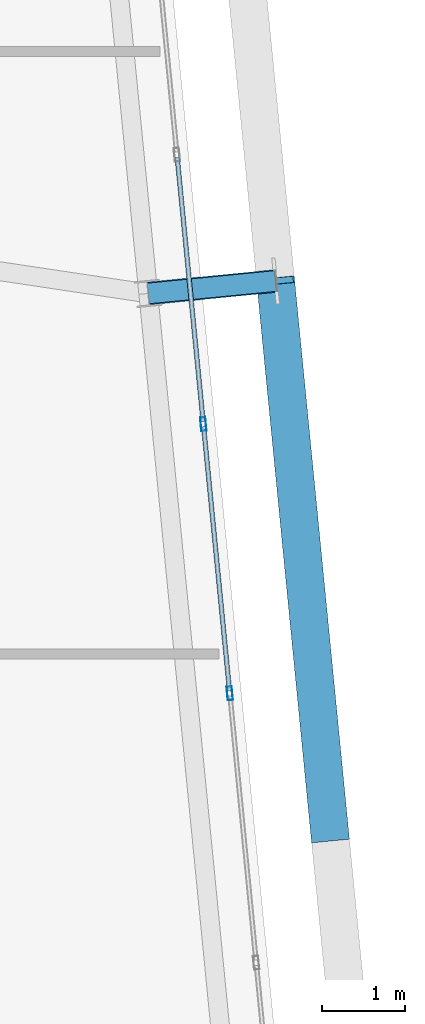
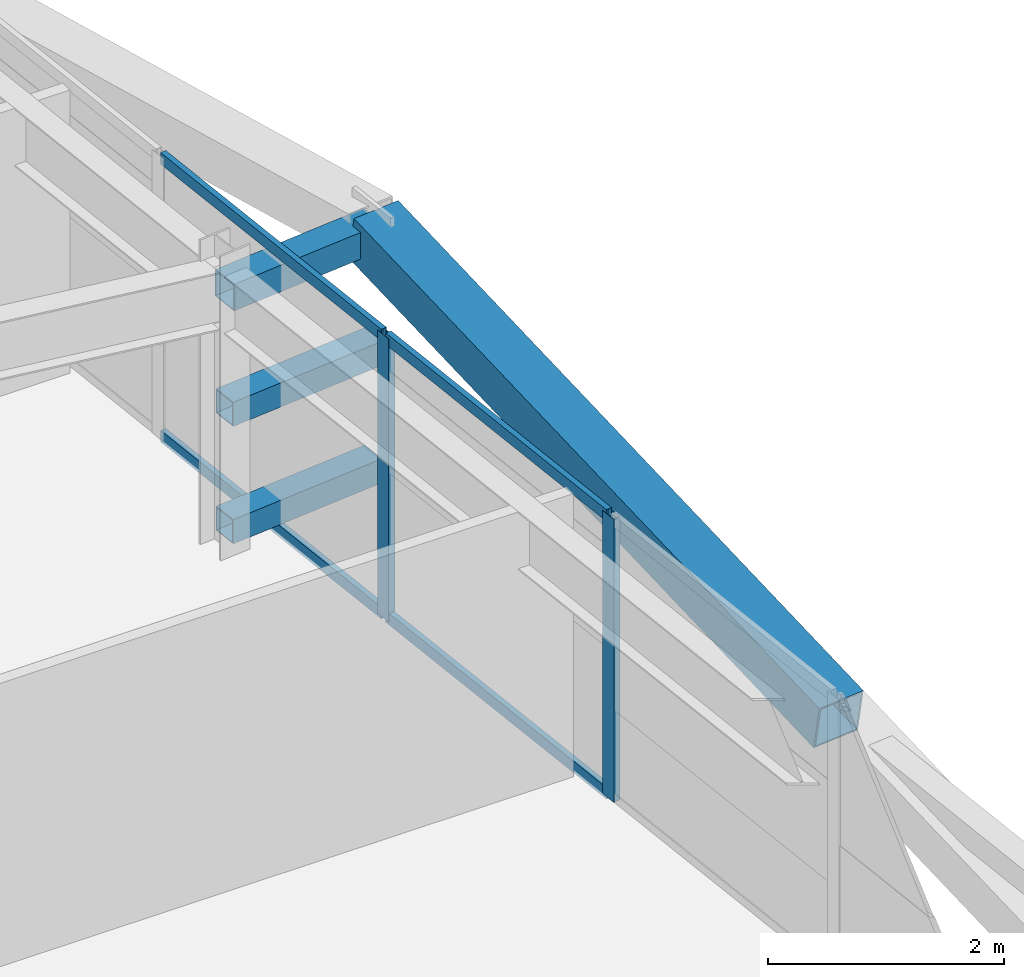
# One storey, part 24 of 52: 10 members, 1 element without a shape of its own.
"""IFC4 building model written with IfcOpenShell, lengths in metres."""

from ifc_helpers import new_model, si_unit, direction, frame, origin, origin_2d, place, context, subcontext, project, spatial, hollow_rectangle, extrude, source, transform, mapped, material, layer, layer_set, material_profile, profile_set, type_object, element, aggregate, save


model = new_model("IFC4")

# Units and contexts
model_context = context("Model", 3, precision=1e-05, world=origin(), true_north=direction((0.0, 1.0)))
body_context = subcontext(model_context, "Body", "Model", "MODEL_VIEW")
ifc_project = project(units=[si_unit("LENGTHUNIT", "METRE"), si_unit("AREAUNIT", "SQUARE_METRE"), si_unit("VOLUMEUNIT", "CUBIC_METRE"), si_unit("PLANEANGLEUNIT", "RADIAN"), si_unit("MASSUNIT", "GRAM", prefix="KILO")], contexts=[model_context])

# Site, building, storey
site_placement = place(None, origin())
site = spatial("IfcSite", under=ifc_project, at=site_placement, CompositionType="ELEMENT")
building_placement = place(site_placement, origin())
building = spatial("IfcBuilding", under=site, at=building_placement, Name="Taldren Reach Tower", CompositionType="ELEMENT")
storey_placement = place(building_placement, frame((0.0, 0.0, 93.449951171875)))
storey = spatial("IfcBuildingStorey", under=building, at=storey_placement, Name="L28", CompositionType="ELEMENT", Elevation=93.449951171875)

# Members
ifc_material_1 = material(Name="Steel Gr 450 (C450L0)", Category="steel")
ifc_material_profile_1 = material_profile(ifc_material_1, hollow_rectangle(XDim=0.27490234375, YDim=0.27490234375, WallThickness=0.00927734375, at=origin_2d()), Name="275x275x9.3SHS")
ifc_profile_set_1 = profile_set([ifc_material_profile_1], Name="Steel Gr 450 (C450L0)")
member_type_1 = type_object("IfcMemberType", Name="MB-TIE273", PredefinedType="STRUT", material=ifc_profile_set_1)
shared_shape_1 = source(origin(), body_context, "Body", "SweptSolid", [
    extrude(hollow_rectangle(XDim=0.27490234375, YDim=0.27490234375, WallThickness=0.00927734375, at=origin_2d()), origin(), (0.0, 0.0, 1.0), 1.5498046875),
])
member_1_placement = place(storey_placement, frame((64.569580078125, 21.968994140625, 2.650146484375), z_axis=(0.995234821595, 0.097507178627, 0.0), x_axis=(-0.097507178627, 0.995234821595, 0.0)))
element("IfcMember", 1, at=member_1_placement, inside=storey, type_object=member_type_1, Name="Exoskeleton diaphragm tie strut B2-E2 L28", PredefinedType="STRUT", context=body_context, shape_type="MappedRepresentation", body=[
    mapped(shared_shape_1, transform((0.0, 0.0, 0.0), scale=1.0)),
])
ifc_material_2 = material(Name="Steel Gr 350 (C350L0)", Category="steel")
ifc_material_profile_2 = material_profile(ifc_material_2, hollow_rectangle(XDim=0.25, YDim=0.25, WallThickness=0.010009765625, at=origin_2d()), Name="250x250x10.0SHS")
ifc_profile_set_2 = profile_set([ifc_material_profile_2], Name="Steel Gr 350 (C350L0)")
member_type_2 = type_object("IfcMemberType", Name="MB-POST250", PredefinedType="POST", material=ifc_profile_set_2)
shared_shape_2 = source(origin(), body_context, "Body", "SweptSolid", [
    extrude(hollow_rectangle(XDim=0.25, YDim=0.25, WallThickness=0.010009765625, at=origin_2d()), origin(), (0.0, 0.0, 1.0), 1.5498046875),
])
for number, where, z_axis, x_axis, name in (
    (2, (64.569580078125, 21.968994140625, 0.219970703125), (0.995234821595, 0.097507178627, 0.0), (-0.097507178627, 0.995234821595, 0.0), "Exoskeleton base diaphragm tie strut B2-E2 L28"),
    (3, (64.569580078125, 21.968994140625, 1.43505859375), (0.995234821595, 0.097507178627, 0.0), (-0.097507178627, 0.995234821595, 0.0), "Exoskeleton mid-tier diaphragm tie B2-E2 L28"),
):
    element("IfcMember", number, at=place(storey_placement, frame(where, z_axis=z_axis, x_axis=x_axis)), inside=storey, type_object=member_type_2, Name=name, PredefinedType="POST", context=body_context, shape_type="MappedRepresentation", body=[
        mapped(shared_shape_2, transform((0.0, 0.0, 0.0), scale=1.0)),
    ])
ifc_material_profile_3 = material_profile(ifc_material_1, hollow_rectangle(XDim=0.4599609375, YDim=0.4599609375, WallThickness=0.01611328125, at=origin_2d()), Name="460x460x16.0SHS")
ifc_profile_set_3 = profile_set([ifc_material_profile_3], Name="Steel Gr 450 (C450L0)")
member_type_3 = type_object("IfcMemberType", Name="MB-EXO457", PredefinedType="BRACE", material=ifc_profile_set_3)
shared_shape_3 = source(origin(), body_context, "Body", "SweptSolid", [
    extrude(hollow_rectangle(XDim=0.4599609375, YDim=0.4599609375, WallThickness=0.01611328125, at=origin_2d()), origin(), (0.0, 0.0, 1.0), 6.883056640625),
])
member_2_placement = place(storey_placement, frame((66.773193359375, 15.37744140625, 1.43505859375), z_axis=(-0.09605145821, 0.97959718347, 0.176531797456), x_axis=(-0.995227290009, -0.097584021339, 0.0)))
element("IfcMember", 4, at=member_2_placement, inside=storey, type_object=member_type_3, Name="Exoskeleton Diagrid Brace B2-E1 L28", PredefinedType="BRACE", context=body_context, shape_type="MappedRepresentation", body=[
    mapped(shared_shape_3, transform((0.0, 0.0, 0.0), scale=1.0)),
])

# Curtain wall, members
ifc_material_3 = material(Name="Aluminium and Low-E Glass Unitised System", Category="aluminium")
ifc_layer = layer(ifc_material_3, 0.159912109375)
ifc_layer_set = layer_set([ifc_layer], Name="Aluminium and Low-E Glass Unitised System")
curtain_wall_type = type_object("IfcCurtainWallType", Name="CW-SYS-3", PredefinedType="NOTDEFINED", material=ifc_layer_set)
curtain_wall_placement = place(storey_placement, origin())
curtain_wall = element("IfcCurtainWall", 5, at=curtain_wall_placement, inside=storey, type_object=curtain_wall_type, Name="Unitised curtain wall CW-L28-E", PredefinedType="NOTDEFINED")
ifc_material_4 = material(Name="Anodised Aluminium 6063-T6", Category="aluminium")
ifc_material_profile_4 = material_profile(ifc_material_4, hollow_rectangle(XDim=0.06494140625, YDim=0.1650390625, WallThickness=0.00390625, at=origin_2d()), Name="ALU-165x65x4RHS")
ifc_profile_set_4 = profile_set([ifc_material_profile_4], Name="Anodised Aluminium 6063-T6")
member_type_4 = type_object("IfcMemberType", Name="CW-MUL-165", PredefinedType="MULLION", material=ifc_profile_set_4)
shared_shape_4 = source(origin(), body_context, "Body", "SweptSolid", [
    extrude(hollow_rectangle(XDim=0.06494140625, YDim=0.1650390625, WallThickness=0.00390625, at=origin_2d()), origin(), (0.0, 0.0, 1.0), 2.929931640625),
])
member_3_placement = place(storey_placement, frame((65.556884765625, 17.12548828125, 0.0), z_axis=(0.0, 0.0, 1.0), x_axis=(-0.99522741555, -0.09758274098, 0.0)))
member_3 = element("IfcMember", 6, at=member_3_placement, type_object=member_type_4, Name="CW-3 mullion 4", PredefinedType="MULLION", context=body_context, shape_type="MappedRepresentation", body=[
    mapped(shared_shape_4, transform((0.0, 0.0, 0.0), scale=1.0)),
])
member_4_placement = place(storey_placement, frame((65.237060546875, 20.3876953125, 0.0), z_axis=(0.0, 0.0, 1.0), x_axis=(-0.99522741555, -0.09758274098, 0.0)))
member_4 = element("IfcMember", 7, at=member_4_placement, type_object=member_type_4, Name="CW-3 mullion 5", PredefinedType="MULLION", context=body_context, shape_type="MappedRepresentation", body=[
    mapped(shared_shape_4, transform((0.0, 0.0, 0.0), scale=1.0)),
])
ifc_material_profile_5 = material_profile(ifc_material_4, hollow_rectangle(XDim=0.054931640625, YDim=0.1201171875, WallThickness=0.0029296875, at=origin_2d()), Name="ALU-120x55x3RHS")
ifc_profile_set_5 = profile_set([ifc_material_profile_5], Name="Anodised Aluminium 6063-T6")
member_type_5 = type_object("IfcMemberType", Name="CW-TRN-135", PredefinedType="USERDEFINED", material=ifc_profile_set_5)
shared_shape_5 = source(origin(), body_context, "Body", "SweptSolid", [
    extrude(hollow_rectangle(XDim=0.054931640625, YDim=0.1201171875, WallThickness=0.0029296875, at=origin_2d()), origin(), (0.0, 0.0, 1.0), 3.212890625),
])
member_5_placement = place(storey_placement, frame((65.5537109375, 17.15771484375, 0.027587890625), z_axis=(-0.097569948235, 0.995228669805, 0.0), x_axis=(-0.995228669805, -0.097569948235, 0.0)))
member_5 = element("IfcMember", 8, at=member_5_placement, type_object=member_type_5, Name="CW-3 transom 4.1", ObjectType="TRANSOM", PredefinedType="USERDEFINED", context=body_context, shape_type="MappedRepresentation", body=[
    mapped(shared_shape_5, transform((0.0, 0.0, 0.0), scale=1.0)),
])
member_6_placement = place(storey_placement, frame((65.5537109375, 17.15771484375, 2.902587890625), z_axis=(-0.097569948235, 0.995228669805, 0.0), x_axis=(-0.995228669805, -0.097569948235, 0.0)))
member_6 = element("IfcMember", 9, at=member_6_placement, type_object=member_type_5, Name="CW-3 transom 4.2", ObjectType="TRANSOM", PredefinedType="USERDEFINED", context=body_context, shape_type="MappedRepresentation", body=[
    mapped(shared_shape_5, transform((0.0, 0.0, 0.0), scale=1.0)),
])
member_7_placement = place(storey_placement, frame((65.23388671875, 20.419921875, 0.027587890625), z_axis=(-0.097645213046, 0.995221288141, 0.0), x_axis=(-0.995221288141, -0.097645213046, 0.0)))
member_7 = element("IfcMember", 10, at=member_7_placement, type_object=member_type_5, Name="CW-3 transom 5.1", ObjectType="TRANSOM", PredefinedType="USERDEFINED", context=body_context, shape_type="MappedRepresentation", body=[
    mapped(shared_shape_5, transform((0.0, 0.0, 0.0), scale=1.0)),
])
member_8_placement = place(storey_placement, frame((65.23388671875, 20.419921875, 2.902587890625), z_axis=(-0.097645213046, 0.995221288141, 0.0), x_axis=(-0.995221288141, -0.097645213046, 0.0)))
member_8 = element("IfcMember", 11, at=member_8_placement, type_object=member_type_5, Name="CW-3 transom 5.2", ObjectType="TRANSOM", PredefinedType="USERDEFINED", context=body_context, shape_type="MappedRepresentation", body=[
    mapped(shared_shape_5, transform((0.0, 0.0, 0.0), scale=1.0)),
])
aggregate(curtain_wall, [member_3, member_4, member_5, member_6, member_7, member_8])

save(model, "model.ifc")
